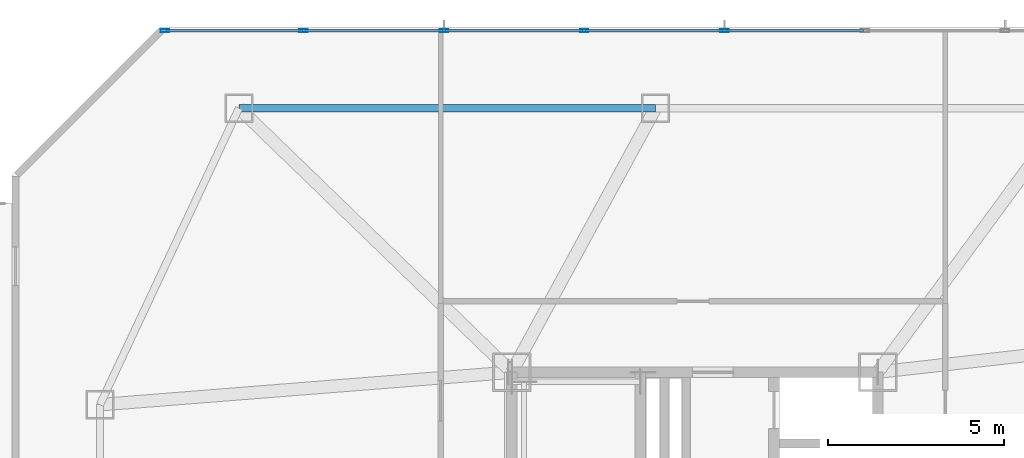
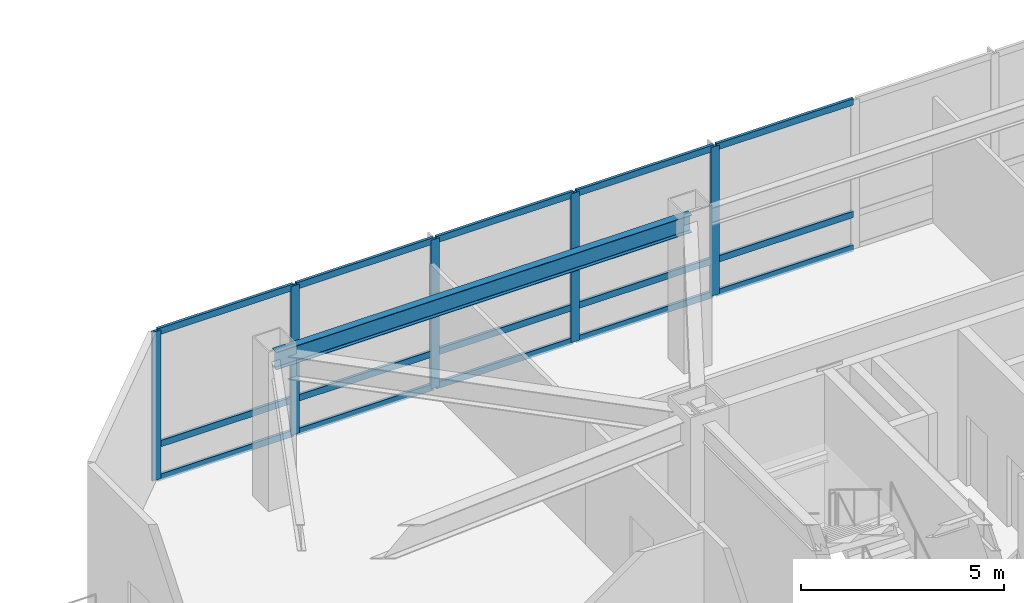
# One storey, part 2 of 16: 20 members, 1 beam, 1 element without a shape of its own.
"""IFC4 building model written with IfcOpenShell, lengths in metres."""

from ifc_helpers import new_model, si_unit, direction, frame, origin, origin_2d, place, context, subcontext, project, spatial, hollow_rectangle, i_section, extrude, material, material_profile, profile_set, type_object, element, aggregate, save


model = new_model("IFC4")

# Units and contexts
model_context = context("Model", 3, precision=1e-05, world=origin(), true_north=direction((0.0, 1.0)))
body_context = subcontext(model_context, "Body", "Model", "MODEL_VIEW")
ifc_project = project(units=[si_unit("LENGTHUNIT", "METRE"), si_unit("AREAUNIT", "SQUARE_METRE"), si_unit("VOLUMEUNIT", "CUBIC_METRE"), si_unit("PLANEANGLEUNIT", "RADIAN"), si_unit("MASSUNIT", "GRAM", prefix="KILO")], contexts=[model_context])

# Site, building, storey
site_placement = place(None, origin())
site = spatial("IfcSite", under=ifc_project, at=site_placement, CompositionType="ELEMENT")
building_placement = place(site_placement, origin())
building = spatial("IfcBuilding", under=site, at=building_placement, Name="Khamvora Tower", CompositionType="ELEMENT")
storey_placement = place(building_placement, frame((0.0, 0.0, 207.0)))
storey = spatial("IfcBuildingStorey", under=building, at=storey_placement, Name="L53", CompositionType="ELEMENT", Elevation=207.0)

# Beam
ifc_material_1 = material(Name="Steel S355", Category="steel")
ifc_material_profile_1 = material_profile(ifc_material_1, i_section(OverallWidth=0.208984375, OverallDepth=0.532958984375, WebThickness=0.010009765625, FlangeThickness=0.01611328125, FilletRadius=0.013916015625, at=origin_2d()), Name="W530x92")
ifc_profile_set_1 = profile_set([ifc_material_profile_1], Name="Steel S355")
beam_type = type_object("IfcBeamType", Name="BM-SP-W530x92", PredefinedType="SPANDREL", material=ifc_profile_set_1)
beam_placement = place(storey_placement, frame((33.0830078125, 44.5, 4.212890625), z_axis=(-1.0, 0.0, 0.0), x_axis=(0.0, -1.0, 0.0)))
element("IfcBeam", 1, at=beam_placement, inside=storey, type_object=beam_type, Name="L53 perimeter spandrel beam N2-N1", PredefinedType="SPANDREL", context=body_context, shape_type="SweptSolid", body=[
    extrude(i_section(OverallWidth=0.208984375, OverallDepth=0.532958984375, WebThickness=0.010009765625, FlangeThickness=0.01611328125, FilletRadius=0.013916015625, at=origin_2d()), origin(), (0.0, 0.0, 1.0), 11.8330078125),
])

# Curtain wall, members
ifc_material_2 = material(Name="Anodised Aluminium 6063-T6", Category="aluminium")
curtain_wall_type = type_object("IfcCurtainWallType", Name="CW-SYS-06", PredefinedType="NOTDEFINED", material=ifc_material_2)
curtain_wall_placement = place(storey_placement, origin())
curtain_wall = element("IfcCurtainWall", 2, at=curtain_wall_placement, inside=storey, type_object=curtain_wall_type, Name="L53 stick curtain wall 07.1", PredefinedType="NOTDEFINED")
ifc_material_profile_2 = material_profile(ifc_material_2, hollow_rectangle(XDim=0.080078125, YDim=0.239990234375, WallThickness=0.0048828125, at=origin_2d()), Name="MUL80x240x5")
ifc_profile_set_2 = profile_set([ifc_material_profile_2], Name="Anodised Aluminium 6063-T6")
member_type_1 = type_object("IfcMemberType", Name="CW-SYS-06-MUL", PredefinedType="MULLION", material=ifc_profile_set_2)
member_1_placement = place(storey_placement, frame((19.14208984375, 46.699951171875, 0.0), z_axis=(0.0, 0.0, 1.0), x_axis=(0.0, 1.0, 0.0)))
member_1 = element("IfcMember", 3, at=member_1_placement, type_object=member_type_1, Name="CW-06 mullion 1", PredefinedType="MULLION", context=body_context, shape_type="SweptSolid", body=[
    extrude(hollow_rectangle(XDim=0.080078125, YDim=0.239990234375, WallThickness=0.0048828125, at=origin_2d()), origin(), (0.0, 0.0, 1.0), 4.47998046875),
])
member_2_placement = place(storey_placement, frame((23.087646484375, 46.699951171875, 0.0), z_axis=(0.0, 0.0, 1.0), x_axis=(0.0, 1.0, 0.0)))
member_2 = element("IfcMember", 4, at=member_2_placement, type_object=member_type_1, Name="CW-06 mullion 2", PredefinedType="MULLION", context=body_context, shape_type="SweptSolid", body=[
    extrude(hollow_rectangle(XDim=0.080078125, YDim=0.239990234375, WallThickness=0.0048828125, at=origin_2d()), origin(), (0.0, 0.0, 1.0), 4.47998046875),
])
member_3_placement = place(storey_placement, frame((27.073486328125, 46.699951171875, 0.0), z_axis=(0.0, 0.0, 1.0), x_axis=(0.0, 1.0, 0.0)))
member_3 = element("IfcMember", 5, at=member_3_placement, type_object=member_type_1, Name="CW-06 mullion 3", PredefinedType="MULLION", context=body_context, shape_type="SweptSolid", body=[
    extrude(hollow_rectangle(XDim=0.080078125, YDim=0.239990234375, WallThickness=0.0048828125, at=origin_2d()), origin(), (0.0, 0.0, 1.0), 4.47998046875),
])
member_4_placement = place(storey_placement, frame((31.05908203125, 46.699951171875, 0.0), z_axis=(0.0, 0.0, 1.0), x_axis=(0.0, 1.0, 0.0)))
member_4 = element("IfcMember", 6, at=member_4_placement, type_object=member_type_1, Name="CW-06 mullion 4", PredefinedType="MULLION", context=body_context, shape_type="SweptSolid", body=[
    extrude(hollow_rectangle(XDim=0.080078125, YDim=0.239990234375, WallThickness=0.0048828125, at=origin_2d()), origin(), (0.0, 0.0, 1.0), 4.47998046875),
])
member_5_placement = place(storey_placement, frame((35.044921875, 46.699951171875, 0.0), z_axis=(0.0, 0.0, 1.0), x_axis=(0.0, 1.0, 0.0)))
member_5 = element("IfcMember", 7, at=member_5_placement, type_object=member_type_1, Name="CW-06 mullion 5", PredefinedType="MULLION", context=body_context, shape_type="SweptSolid", body=[
    extrude(hollow_rectangle(XDim=0.080078125, YDim=0.239990234375, WallThickness=0.0048828125, at=origin_2d()), origin(), (0.0, 0.0, 1.0), 4.47998046875),
])
ifc_material_profile_3 = material_profile(ifc_material_2, hollow_rectangle(XDim=0.080078125, YDim=0.195068359375, WallThickness=0.0048828125, at=origin_2d()), Name="TRN80x195x5")
ifc_profile_set_3 = profile_set([ifc_material_profile_3], Name="Anodised Aluminium 6063-T6")
member_type_2 = type_object("IfcMemberType", Name="CW-SYS-06-TRN", PredefinedType="USERDEFINED", material=ifc_profile_set_3)
member_6_placement = place(storey_placement, frame((19.181884765625, 46.699951171875, 0.0400390625), z_axis=(1.0, 0.0, 0.0), x_axis=(0.0, 1.0, 0.0)))
member_6 = element("IfcMember", 8, at=member_6_placement, type_object=member_type_2, Name="CW-06 transom 1.1", ObjectType="TRANSOM", PredefinedType="USERDEFINED", context=body_context, shape_type="SweptSolid", body=[
    extrude(hollow_rectangle(XDim=0.080078125, YDim=0.195068359375, WallThickness=0.0048828125, at=origin_2d()), origin(), (0.0, 0.0, 1.0), 3.86572265625),
])
member_7_placement = place(storey_placement, frame((19.181884765625, 46.699951171875, 1.050048828125), z_axis=(1.0, 0.0, 0.0), x_axis=(0.0, 1.0, 0.0)))
member_7 = element("IfcMember", 9, at=member_7_placement, type_object=member_type_2, Name="CW-06 transom 1.2", ObjectType="TRANSOM", PredefinedType="USERDEFINED", context=body_context, shape_type="SweptSolid", body=[
    extrude(hollow_rectangle(XDim=0.080078125, YDim=0.195068359375, WallThickness=0.0048828125, at=origin_2d()), origin(), (0.0, 0.0, 1.0), 3.86572265625),
])
member_8_placement = place(storey_placement, frame((19.181884765625, 46.699951171875, 4.43994140625), z_axis=(1.0, 0.0, 0.0), x_axis=(0.0, 1.0, 0.0)))
member_8 = element("IfcMember", 10, at=member_8_placement, type_object=member_type_2, Name="CW-06 transom 1.3", ObjectType="TRANSOM", PredefinedType="USERDEFINED", context=body_context, shape_type="SweptSolid", body=[
    extrude(hollow_rectangle(XDim=0.080078125, YDim=0.195068359375, WallThickness=0.0048828125, at=origin_2d()), origin(), (0.0, 0.0, 1.0), 3.86572265625),
])
member_9_placement = place(storey_placement, frame((23.127685546875, 46.699951171875, 0.0400390625), z_axis=(1.0, 0.0, 0.0), x_axis=(0.0, 1.0, 0.0)))
member_9 = element("IfcMember", 11, at=member_9_placement, type_object=member_type_2, Name="CW-06 transom 2.1", ObjectType="TRANSOM", PredefinedType="USERDEFINED", context=body_context, shape_type="SweptSolid", body=[
    extrude(hollow_rectangle(XDim=0.080078125, YDim=0.195068359375, WallThickness=0.0048828125, at=origin_2d()), origin(), (0.0, 0.0, 1.0), 3.90576171875),
])
member_10_placement = place(storey_placement, frame((23.127685546875, 46.699951171875, 1.050048828125), z_axis=(1.0, 0.0, 0.0), x_axis=(0.0, 1.0, 0.0)))
member_10 = element("IfcMember", 12, at=member_10_placement, type_object=member_type_2, Name="CW-06 transom 2.2", ObjectType="TRANSOM", PredefinedType="USERDEFINED", context=body_context, shape_type="SweptSolid", body=[
    extrude(hollow_rectangle(XDim=0.080078125, YDim=0.195068359375, WallThickness=0.0048828125, at=origin_2d()), origin(), (0.0, 0.0, 1.0), 3.90576171875),
])
member_11_placement = place(storey_placement, frame((23.127685546875, 46.699951171875, 4.43994140625), z_axis=(1.0, 0.0, 0.0), x_axis=(0.0, 1.0, 0.0)))
member_11 = element("IfcMember", 13, at=member_11_placement, type_object=member_type_2, Name="CW-06 transom 2.3", ObjectType="TRANSOM", PredefinedType="USERDEFINED", context=body_context, shape_type="SweptSolid", body=[
    extrude(hollow_rectangle(XDim=0.080078125, YDim=0.195068359375, WallThickness=0.0048828125, at=origin_2d()), origin(), (0.0, 0.0, 1.0), 3.90576171875),
])
member_12_placement = place(storey_placement, frame((27.11328125, 46.699951171875, 0.0400390625), z_axis=(1.0, 0.0, 0.0), x_axis=(0.0, 1.0, 0.0)))
member_12 = element("IfcMember", 14, at=member_12_placement, type_object=member_type_2, Name="CW-06 transom 3.1", ObjectType="TRANSOM", PredefinedType="USERDEFINED", context=body_context, shape_type="SweptSolid", body=[
    extrude(hollow_rectangle(XDim=0.080078125, YDim=0.195068359375, WallThickness=0.0048828125, at=origin_2d()), origin(), (0.0, 0.0, 1.0), 3.90576171875),
])
member_13_placement = place(storey_placement, frame((27.11328125, 46.699951171875, 1.050048828125), z_axis=(1.0, 0.0, 0.0), x_axis=(0.0, 1.0, 0.0)))
member_13 = element("IfcMember", 15, at=member_13_placement, type_object=member_type_2, Name="CW-06 transom 3.2", ObjectType="TRANSOM", PredefinedType="USERDEFINED", context=body_context, shape_type="SweptSolid", body=[
    extrude(hollow_rectangle(XDim=0.080078125, YDim=0.195068359375, WallThickness=0.0048828125, at=origin_2d()), origin(), (0.0, 0.0, 1.0), 3.90576171875),
])
member_14_placement = place(storey_placement, frame((27.11328125, 46.699951171875, 4.43994140625), z_axis=(1.0, 0.0, 0.0), x_axis=(0.0, 1.0, 0.0)))
member_14 = element("IfcMember", 16, at=member_14_placement, type_object=member_type_2, Name="CW-06 transom 3.3", ObjectType="TRANSOM", PredefinedType="USERDEFINED", context=body_context, shape_type="SweptSolid", body=[
    extrude(hollow_rectangle(XDim=0.080078125, YDim=0.195068359375, WallThickness=0.0048828125, at=origin_2d()), origin(), (0.0, 0.0, 1.0), 3.90576171875),
])
member_15_placement = place(storey_placement, frame((31.09912109375, 46.699951171875, 0.0400390625), z_axis=(1.0, 0.0, 0.0), x_axis=(0.0, 1.0, 0.0)))
member_15 = element("IfcMember", 17, at=member_15_placement, type_object=member_type_2, Name="CW-06 transom 4.1", ObjectType="TRANSOM", PredefinedType="USERDEFINED", context=body_context, shape_type="SweptSolid", body=[
    extrude(hollow_rectangle(XDim=0.080078125, YDim=0.195068359375, WallThickness=0.0048828125, at=origin_2d()), origin(), (0.0, 0.0, 1.0), 3.90576171875),
])
member_16_placement = place(storey_placement, frame((31.09912109375, 46.699951171875, 1.050048828125), z_axis=(1.0, 0.0, 0.0), x_axis=(0.0, 1.0, 0.0)))
member_16 = element("IfcMember", 18, at=member_16_placement, type_object=member_type_2, Name="CW-06 transom 4.2", ObjectType="TRANSOM", PredefinedType="USERDEFINED", context=body_context, shape_type="SweptSolid", body=[
    extrude(hollow_rectangle(XDim=0.080078125, YDim=0.195068359375, WallThickness=0.0048828125, at=origin_2d()), origin(), (0.0, 0.0, 1.0), 3.90576171875),
])
member_17_placement = place(storey_placement, frame((31.09912109375, 46.699951171875, 4.43994140625), z_axis=(1.0, 0.0, 0.0), x_axis=(0.0, 1.0, 0.0)))
member_17 = element("IfcMember", 19, at=member_17_placement, type_object=member_type_2, Name="CW-06 transom 4.3", ObjectType="TRANSOM", PredefinedType="USERDEFINED", context=body_context, shape_type="SweptSolid", body=[
    extrude(hollow_rectangle(XDim=0.080078125, YDim=0.195068359375, WallThickness=0.0048828125, at=origin_2d()), origin(), (0.0, 0.0, 1.0), 3.90576171875),
])
member_18_placement = place(storey_placement, frame((35.084716796875, 46.699951171875, 0.0400390625), z_axis=(1.0, 0.0, 0.0), x_axis=(0.0, 1.0, 0.0)))
member_18 = element("IfcMember", 20, at=member_18_placement, type_object=member_type_2, Name="CW-06 transom 5.1", ObjectType="TRANSOM", PredefinedType="USERDEFINED", context=body_context, shape_type="SweptSolid", body=[
    extrude(hollow_rectangle(XDim=0.080078125, YDim=0.195068359375, WallThickness=0.0048828125, at=origin_2d()), origin(), (0.0, 0.0, 1.0), 3.90576171875),
])
member_19_placement = place(storey_placement, frame((35.084716796875, 46.699951171875, 1.050048828125), z_axis=(1.0, 0.0, 0.0), x_axis=(0.0, 1.0, 0.0)))
member_19 = element("IfcMember", 21, at=member_19_placement, type_object=member_type_2, Name="CW-06 transom 5.2", ObjectType="TRANSOM", PredefinedType="USERDEFINED", context=body_context, shape_type="SweptSolid", body=[
    extrude(hollow_rectangle(XDim=0.080078125, YDim=0.195068359375, WallThickness=0.0048828125, at=origin_2d()), origin(), (0.0, 0.0, 1.0), 3.90576171875),
])
member_20_placement = place(storey_placement, frame((35.084716796875, 46.699951171875, 4.43994140625), z_axis=(1.0, 0.0, 0.0), x_axis=(0.0, 1.0, 0.0)))
member_20 = element("IfcMember", 22, at=member_20_placement, type_object=member_type_2, Name="CW-06 transom 5.3", ObjectType="TRANSOM", PredefinedType="USERDEFINED", context=body_context, shape_type="SweptSolid", body=[
    extrude(hollow_rectangle(XDim=0.080078125, YDim=0.195068359375, WallThickness=0.0048828125, at=origin_2d()), origin(), (0.0, 0.0, 1.0), 3.90576171875),
])
aggregate(curtain_wall, [member_1, member_2, member_3, member_4, member_5, member_6, member_7, member_8, member_9, member_10, member_11, member_12, member_13, member_14, member_15, member_16, member_17, member_18, member_19, member_20])

save(model, "model.ifc")
